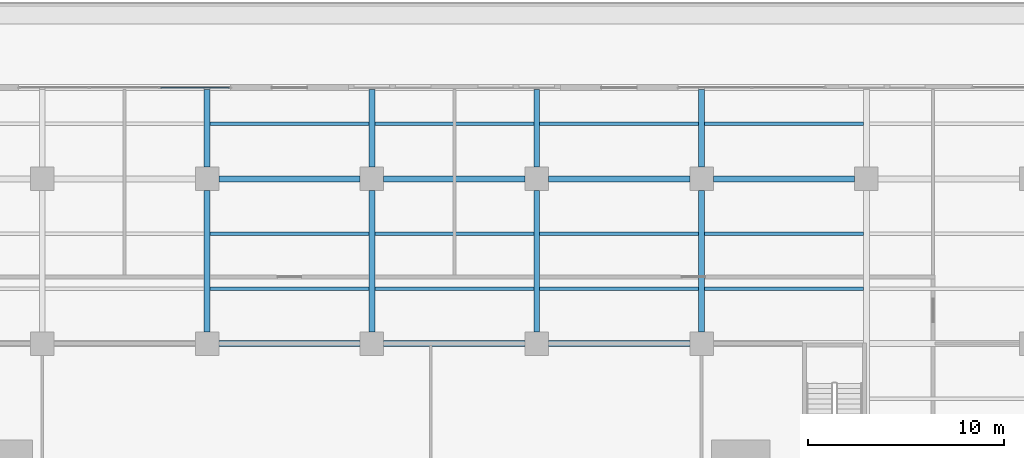
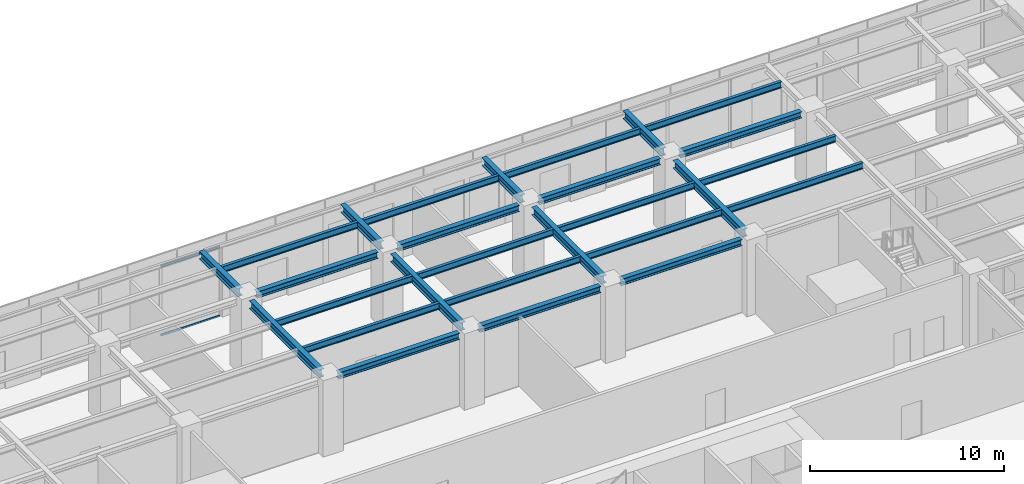
# One storey, part 12 of 32: 27 beams, 2 members, 1 element without a shape of its own.
"""IFC4 building model written with IfcOpenShell, lengths in metres."""

from ifc_helpers import new_model, si_unit, direction, frame, origin, origin_2d, place, context, subcontext, project, spatial, rectangle, i_section, extrude, material, material_profile, profile_set, type_object, element, aggregate, save


model = new_model("IFC4")

# Units and contexts
model_context = context("Model", 3, precision=1e-05, world=origin(), true_north=direction((0.0, 1.0)))
body_context = subcontext(model_context, "Body", "Model", "MODEL_VIEW")
ifc_project = project(units=[si_unit("LENGTHUNIT", "METRE"), si_unit("AREAUNIT", "SQUARE_METRE"), si_unit("VOLUMEUNIT", "CUBIC_METRE"), si_unit("PLANEANGLEUNIT", "RADIAN"), si_unit("MASSUNIT", "GRAM", prefix="KILO")], contexts=[model_context])

# Site, building, storey
site_placement = place(None, origin())
site = spatial("IfcSite", under=ifc_project, at=site_placement, CompositionType="ELEMENT")
building_placement = place(site_placement, origin())
building = spatial("IfcBuilding", under=site, at=building_placement, Name="Khepri Terraces", CompositionType="ELEMENT")
storey_placement = place(building_placement, frame((0.0, 0.0, 12.0)))
storey = spatial("IfcBuildingStorey", under=building, at=storey_placement, Name="L02", CompositionType="ELEMENT", Elevation=12.0)

# Curtain wall, members
ifc_material_1 = material(Name="Anodised aluminium bronze curtain wall", Category="aluminium")
curtain_wall_type = type_object("IfcCurtainWallType", Name="CW-SYS2-PODIUM", PredefinedType="NOTDEFINED", material=ifc_material_1)
curtain_wall_placement = place(storey_placement, origin())
curtain_wall = element("IfcCurtainWall", 1, at=curtain_wall_placement, inside=storey, type_object=curtain_wall_type, Name="Curtain wall CW2 L02 N", PredefinedType="NOTDEFINED")
ifc_material_2 = material(Name="Anodised aluminium bronze", Category="aluminium")
ifc_material_profile_1 = material_profile(ifc_material_2, rectangle(XDim=0.06005859375, YDim=0.1201171875, at=origin_2d()), Name="Anodised aluminium bronze", Category="aluminium")
ifc_profile_set_1 = profile_set([ifc_material_profile_1], Name="Anodised aluminium bronze")
member_type = type_object("IfcMemberType", Name="CW-TRANSOM-60x120", PredefinedType="USERDEFINED", material=ifc_profile_set_1)
member_1_placement = place(storey_placement, frame((-7.260009765625, 38.25, 0.030029296875), z_axis=(-1.0, 0.0, 0.0), x_axis=(0.0, -1.0, 0.0)))
member_1 = element("IfcMember", 2, at=member_1_placement, type_object=member_type, Name="CW2 transom 1.1", ObjectType="TRANSOM", PredefinedType="USERDEFINED", context=body_context, shape_type="SweptSolid", body=[
    extrude(rectangle(XDim=0.06005859375, YDim=0.1201171875, at=origin_2d()), origin(), (0.0, 0.0, 1.0), 3.510009765625),
])
member_2_placement = place(storey_placement, frame((-7.260009765625, 38.25, 4.35009765625), z_axis=(-1.0, 0.0, 0.0), x_axis=(0.0, -1.0, 0.0)))
member_2 = element("IfcMember", 3, at=member_2_placement, type_object=member_type, Name="CW2 transom 1.2", ObjectType="TRANSOM", PredefinedType="USERDEFINED", context=body_context, shape_type="SweptSolid", body=[
    extrude(rectangle(XDim=0.06005859375, YDim=0.1201171875, at=origin_2d()), origin(), (0.0, 0.0, 1.0), 3.510009765625),
])
aggregate(curtain_wall, [member_1, member_2])

# Beams
ifc_material_3 = material(Name="Steel S355", Category="steel")
ifc_material_profile_2 = material_profile(ifc_material_3, i_section(OverallWidth=0.300048828125, OverallDepth=0.5, WebThickness=0.014404296875, FlangeThickness=0.028076171875, FilletRadius=0.027099609375, at=origin_2d()), Name="Steel S355", Category="steel")
ifc_profile_set_2 = profile_set([ifc_material_profile_2], Name="Steel S355")
beam_type_1 = type_object("IfcBeamType", Name="Podium cantilever girder L03 HEB 500", PredefinedType="BEAM", material=ifc_profile_set_2)
for number, where, z_axis, x_axis, name in (
    (4, (-8.39990234375, 34.199951171875, 4.35009765625), (0.0, 1.0, 0.0), (-1.0, 0.0, 0.0), "Podium girder L03 026"),
    (5, (0.0, 34.199951171875, 4.35009765625), (0.0, 1.0, 0.0), (-1.0, 0.0, 0.0), "Podium girder L03 030"),
    (6, (8.39990234375, 34.199951171875, 4.35009765625), (0.0, 1.0, 0.0), (-1.0, 0.0, 0.0), "Podium girder L03 034"),
    (7, (16.800048828125, 34.199951171875, 4.35009765625), (0.0, 1.0, 0.0), (-1.0, 0.0, 0.0), "Podium girder L03 038"),
):
    element("IfcBeam", number, at=place(storey_placement, frame(where, z_axis=z_axis, x_axis=x_axis)), inside=storey, type_object=beam_type_1, Name=name, PredefinedType="BEAM", context=body_context, shape_type="SweptSolid", body=[
        extrude(i_section(OverallWidth=0.300048828125, OverallDepth=0.5, WebThickness=0.014404296875, FlangeThickness=0.028076171875, FilletRadius=0.027099609375, at=origin_2d()), origin(), (0.0, 0.0, 1.0), 3.949951171875),
    ])
ifc_material_profile_3 = material_profile(ifc_material_3, i_section(OverallWidth=0.300048828125, OverallDepth=0.5, WebThickness=0.014404296875, FlangeThickness=0.028076171875, FilletRadius=0.027099609375, at=origin_2d()), Name="Steel S355", Category="steel")
ifc_profile_set_3 = profile_set([ifc_material_profile_3], Name="Steel S355")
beam_type_2 = type_object("IfcBeamType", Name="Podium girder L03 HEB 500", PredefinedType="BEAM", material=ifc_profile_set_3)
for number, where, z_axis, x_axis, name in (
    (8, (-8.39990234375, 25.800048828125, 4.35009765625), (0.0, 1.0, 0.0), (-1.0, 0.0, 0.0), "Podium girder L03 025"),
    (9, (0.0, 25.800048828125, 4.35009765625), (0.0, 1.0, 0.0), (-1.0, 0.0, 0.0), "Podium girder L03 029"),
    (10, (8.39990234375, 25.800048828125, 4.35009765625), (0.0, 1.0, 0.0), (-1.0, 0.0, 0.0), "Podium girder L03 033"),
    (11, (16.800048828125, 25.800048828125, 4.35009765625), (0.0, 1.0, 0.0), (-1.0, 0.0, 0.0), "Podium girder L03 037"),
):
    element("IfcBeam", number, at=place(storey_placement, frame(where, z_axis=z_axis, x_axis=x_axis)), inside=storey, type_object=beam_type_2, Name=name, PredefinedType="BEAM", context=body_context, shape_type="SweptSolid", body=[
        extrude(i_section(OverallWidth=0.300048828125, OverallDepth=0.5, WebThickness=0.014404296875, FlangeThickness=0.028076171875, FilletRadius=0.027099609375, at=origin_2d()), origin(), (0.0, 0.0, 1.0), 7.199951171875),
    ])
ifc_material_profile_4 = material_profile(ifc_material_3, i_section(OverallWidth=0.300048828125, OverallDepth=0.39990234375, WebThickness=0.013427734375, FlangeThickness=0.02392578125, FilletRadius=0.027099609375, at=origin_2d()), Name="Steel S355", Category="steel")
ifc_profile_set_4 = profile_set([ifc_material_profile_4], Name="Steel S355")
beam_type_3 = type_object("IfcBeamType", Name="Podium girder L03 grid line HEB 400", PredefinedType="BEAM", material=ifc_profile_set_4)
for number, where, z_axis, x_axis, name in (
    (12, (-7.800048828125, 25.199951171875, 4.39990234375), (1.0, 0.0, 0.0), (0.0, 1.0, 0.0), "Podium grid-line girder L03 120"),
    (13, (0.60009765625, 25.199951171875, 4.39990234375), (1.0, 0.0, 0.0), (0.0, 1.0, 0.0), "Podium grid-line girder L03 121"),
    (14, (9.0, 25.199951171875, 4.39990234375), (1.0, 0.0, 0.0), (0.0, 1.0, 0.0), "Podium grid-line girder L03 122"),
    (15, (-7.800048828125, 33.60009765625, 4.39990234375), (1.0, 0.0, 0.0), (0.0, 1.0, 0.0), "Podium grid-line girder L03 149"),
    (16, (0.60009765625, 33.60009765625, 4.39990234375), (1.0, 0.0, 0.0), (0.0, 1.0, 0.0), "Podium grid-line girder L03 150"),
    (17, (9.0, 33.60009765625, 4.39990234375), (1.0, 0.0, 0.0), (0.0, 1.0, 0.0), "Podium grid-line girder L03 151"),
):
    element("IfcBeam", number, at=place(storey_placement, frame(where, z_axis=z_axis, x_axis=x_axis)), inside=storey, type_object=beam_type_3, Name=name, PredefinedType="BEAM", context=body_context, shape_type="SweptSolid", body=[
        extrude(i_section(OverallWidth=0.300048828125, OverallDepth=0.39990234375, WebThickness=0.013427734375, FlangeThickness=0.02392578125, FilletRadius=0.027099609375, at=origin_2d()), origin(), (0.0, 0.0, 1.0), 7.199951171875),
    ])
beam_1_placement = place(storey_placement, frame((17.39990234375, 33.60009765625, 4.39990234375), z_axis=(1.0, 0.0, 0.0), x_axis=(0.0, 1.0, 0.0)))
element("IfcBeam", 18, at=beam_1_placement, inside=storey, type_object=beam_type_3, Name="Podium grid-line girder L03 152", PredefinedType="BEAM", context=body_context, shape_type="SweptSolid", body=[
    extrude(i_section(OverallWidth=0.300048828125, OverallDepth=0.39990234375, WebThickness=0.013427734375, FlangeThickness=0.02392578125, FilletRadius=0.027099609375, at=origin_2d()), origin(), (0.0, 0.0, 1.0), 7.2001953125),
])
ifc_material_profile_5 = material_profile(ifc_material_3, i_section(OverallWidth=0.179931640625, OverallDepth=0.39990234375, WebThickness=0.008544921875, FlangeThickness=0.013427734375, FilletRadius=0.02099609375, at=origin_2d()), Name="Steel S355", Category="steel")
ifc_profile_set_5 = profile_set([ifc_material_profile_5], Name="Steel S355")
beam_type_4 = type_object("IfcBeamType", Name="Podium joist L03 IPE 400", PredefinedType="JOIST", material=ifc_profile_set_5)
for number, where, z_axis, x_axis, name in (
    (19, (-8.25, 28.0, 4.39990234375), (1.0, 0.0, 0.0), (0.0, 1.0, 0.0), "Podium joist L03 129"),
    (20, (0.14990234375, 28.0, 4.39990234375), (1.0, 0.0, 0.0), (0.0, 1.0, 0.0), "Podium joist L03 130"),
):
    element("IfcBeam", number, at=place(storey_placement, frame(where, z_axis=z_axis, x_axis=x_axis)), inside=storey, type_object=beam_type_4, Name=name, PredefinedType="JOIST", context=body_context, shape_type="SweptSolid", body=[
        extrude(i_section(OverallWidth=0.179931640625, OverallDepth=0.39990234375, WebThickness=0.008544921875, FlangeThickness=0.013427734375, FilletRadius=0.02099609375, at=origin_2d()), origin(), (0.0, 0.0, 1.0), 8.10009765625),
    ])
beam_2_placement = place(storey_placement, frame((8.550048828125, 28.0, 4.39990234375), z_axis=(1.0, 0.0, 0.0), x_axis=(0.0, 1.0, 0.0)))
element("IfcBeam", 21, at=beam_2_placement, inside=storey, type_object=beam_type_4, Name="Podium joist L03 131", PredefinedType="JOIST", context=body_context, shape_type="SweptSolid", body=[
    extrude(i_section(OverallWidth=0.179931640625, OverallDepth=0.39990234375, WebThickness=0.008544921875, FlangeThickness=0.013427734375, FilletRadius=0.02099609375, at=origin_2d()), origin(), (0.0, 0.0, 1.0), 8.099853515625),
])
for number, where, z_axis, x_axis, name in (
    (22, (16.949951171875, 28.0, 4.39990234375), (1.0, 0.0, 0.0), (0.0, 1.0, 0.0), "Podium joist L03 132"),
    (23, (-8.25, 30.800048828125, 4.39990234375), (1.0, 0.0, 0.0), (0.0, 1.0, 0.0), "Podium joist L03 139"),
    (24, (0.14990234375, 30.800048828125, 4.39990234375), (1.0, 0.0, 0.0), (0.0, 1.0, 0.0), "Podium joist L03 140"),
):
    element("IfcBeam", number, at=place(storey_placement, frame(where, z_axis=z_axis, x_axis=x_axis)), inside=storey, type_object=beam_type_4, Name=name, PredefinedType="JOIST", context=body_context, shape_type="SweptSolid", body=[
        extrude(i_section(OverallWidth=0.179931640625, OverallDepth=0.39990234375, WebThickness=0.008544921875, FlangeThickness=0.013427734375, FilletRadius=0.02099609375, at=origin_2d()), origin(), (0.0, 0.0, 1.0), 8.10009765625),
    ])
beam_3_placement = place(storey_placement, frame((8.550048828125, 30.800048828125, 4.39990234375), z_axis=(1.0, 0.0, 0.0), x_axis=(0.0, 1.0, 0.0)))
element("IfcBeam", 25, at=beam_3_placement, inside=storey, type_object=beam_type_4, Name="Podium joist L03 141", PredefinedType="JOIST", context=body_context, shape_type="SweptSolid", body=[
    extrude(i_section(OverallWidth=0.179931640625, OverallDepth=0.39990234375, WebThickness=0.008544921875, FlangeThickness=0.013427734375, FilletRadius=0.02099609375, at=origin_2d()), origin(), (0.0, 0.0, 1.0), 8.099853515625),
])
for number, where, z_axis, x_axis, name in (
    (26, (16.949951171875, 30.800048828125, 4.39990234375), (1.0, 0.0, 0.0), (0.0, 1.0, 0.0), "Podium joist L03 142"),
    (27, (-8.25, 36.39990234375, 4.39990234375), (1.0, 0.0, 0.0), (0.0, 1.0, 0.0), "Podium joist L03 159"),
    (28, (0.14990234375, 36.39990234375, 4.39990234375), (1.0, 0.0, 0.0), (0.0, 1.0, 0.0), "Podium joist L03 160"),
):
    element("IfcBeam", number, at=place(storey_placement, frame(where, z_axis=z_axis, x_axis=x_axis)), inside=storey, type_object=beam_type_4, Name=name, PredefinedType="JOIST", context=body_context, shape_type="SweptSolid", body=[
        extrude(i_section(OverallWidth=0.179931640625, OverallDepth=0.39990234375, WebThickness=0.008544921875, FlangeThickness=0.013427734375, FilletRadius=0.02099609375, at=origin_2d()), origin(), (0.0, 0.0, 1.0), 8.10009765625),
    ])
beam_4_placement = place(storey_placement, frame((8.550048828125, 36.39990234375, 4.39990234375), z_axis=(1.0, 0.0, 0.0), x_axis=(0.0, 1.0, 0.0)))
element("IfcBeam", 29, at=beam_4_placement, inside=storey, type_object=beam_type_4, Name="Podium joist L03 161", PredefinedType="JOIST", context=body_context, shape_type="SweptSolid", body=[
    extrude(i_section(OverallWidth=0.179931640625, OverallDepth=0.39990234375, WebThickness=0.008544921875, FlangeThickness=0.013427734375, FilletRadius=0.02099609375, at=origin_2d()), origin(), (0.0, 0.0, 1.0), 8.099853515625),
])
beam_5_placement = place(storey_placement, frame((16.949951171875, 36.39990234375, 4.39990234375), z_axis=(1.0, 0.0, 0.0), x_axis=(0.0, 1.0, 0.0)))
element("IfcBeam", 30, at=beam_5_placement, inside=storey, type_object=beam_type_4, Name="Podium joist L03 162", PredefinedType="JOIST", context=body_context, shape_type="SweptSolid", body=[
    extrude(i_section(OverallWidth=0.179931640625, OverallDepth=0.39990234375, WebThickness=0.008544921875, FlangeThickness=0.013427734375, FilletRadius=0.02099609375, at=origin_2d()), origin(), (0.0, 0.0, 1.0), 8.10009765625),
])

save(model, "model.ifc")
